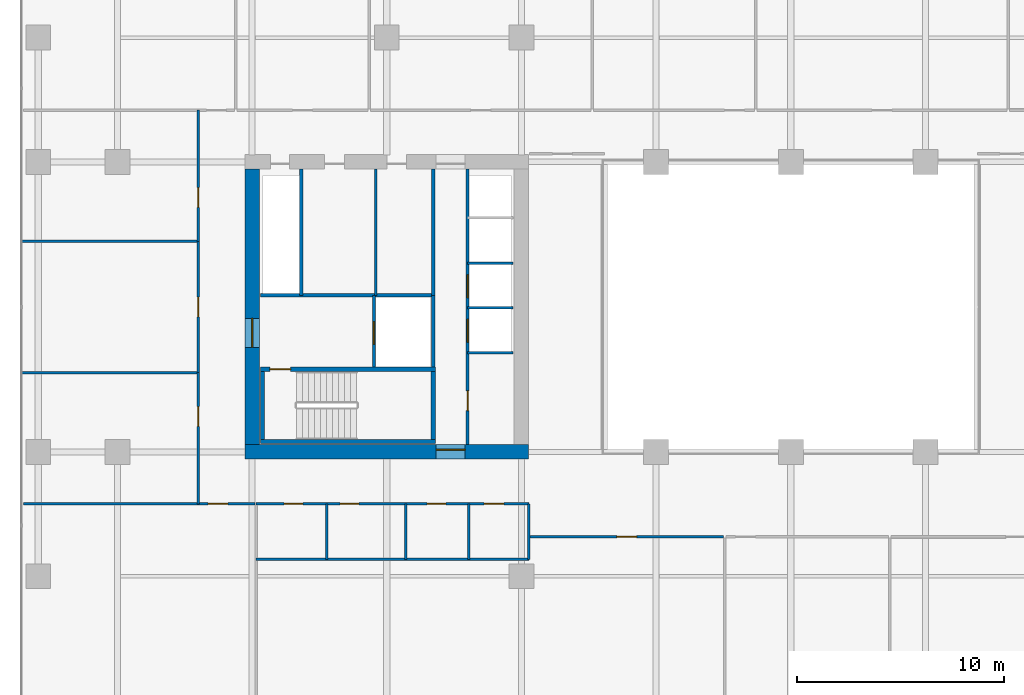
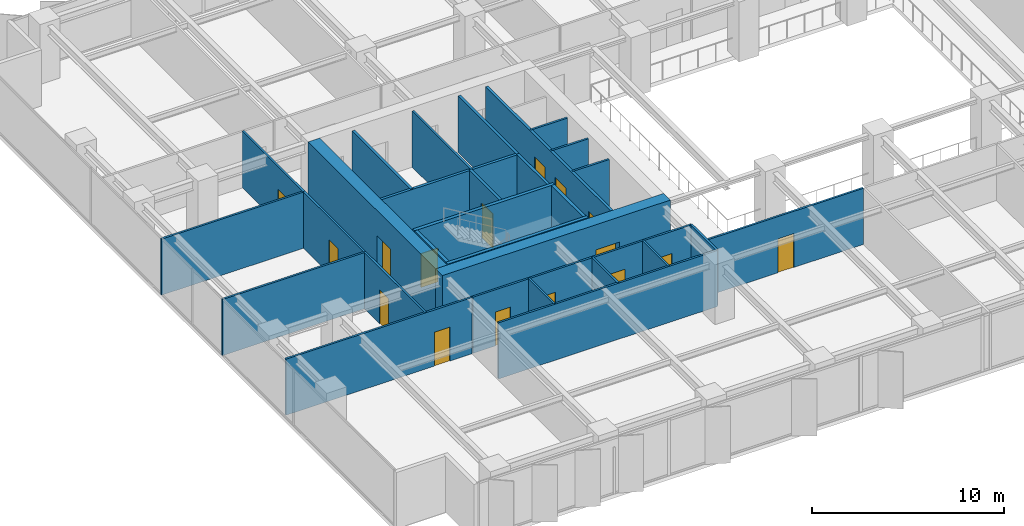
# One storey, part 13 of 20: 29 walls, 16 doors, 16 openings.
"""IFC4 building model written with IfcOpenShell, lengths in metres."""

import ifcopenshell
import ifcopenshell.guid

model = None  # the IFC model being written
_history = None  # IfcOwnerHistory: only IFC2X3 demands one
_inside = {}  # id of a spatial element -> (the spatial element, [elements in it])
_under = {}  # id of a project, library or spatial element -> (it, [spatial elements below it])
_declared = {}  # id of a project -> (the project, [libraries it declares])
_typed = {}  # id of a type object -> (the type object, [elements of that type])
_made_of = {}  # id of a material, layer set ... -> (it, [elements and type objects made of it])


def new_model(schema):
    """Start an empty IFC model of exactly this schema.

    Asked for "IFC4X3", IfcOpenShell would pick the latest addendum, in which some entities
    have other attributes; the version numbers below select the first issue.
    IFC2X3 requires an IfcOwnerHistory on every rooted entity: one is made here for all.
    """
    global model, _history
    if schema == "IFC4X3":
        model = ifcopenshell.file(schema_version=(4, 3, 0, 0))
    else:
        model = ifcopenshell.file(schema=schema)
    _inside.clear()
    _under.clear()
    _declared.clear()
    _typed.clear()
    _made_of.clear()
    _history = None
    if model.schema == "IFC2X3":
        org = make("IfcOrganization", Name="unknown")
        user = make(
            "IfcPersonAndOrganization",
            ThePerson=make("IfcPerson", FamilyName="unknown"),
            TheOrganization=org,
        )
        app = make(
            "IfcApplication",
            ApplicationDeveloper=org,
            Version="unknown",
            ApplicationFullName="unknown",
            ApplicationIdentifier="unknown",
        )
        _history = make(
            "IfcOwnerHistory",
            OwningUser=user,
            OwningApplication=app,
            ChangeAction="ADDED",
            CreationDate=0,
        )
    return model


def make(cls, **values):
    """One entity of the class cls with the attributes given. An attribute that is None is left unset."""
    return model.create_entity(
        cls, **{name: value for name, value in values.items() if value is not None}
    )


def rooted(cls, **values):
    """An entity with a GlobalId (a new one), such as an element, a storey or a relation."""
    return make(cls, GlobalId=ifcopenshell.guid.new(), OwnerHistory=_history, **values)


def si_unit(unit_type, name, prefix=None):
    """IfcSIUnit, for example si_unit("LENGTHUNIT", "METRE", prefix="MILLI")."""
    return make("IfcSIUnit", UnitType=unit_type, Prefix=prefix, Name=name)


def assignment(units):
    """IfcUnitAssignment: the units of a project."""
    return None if units is None else make("IfcUnitAssignment", Units=units)


def point(xyz):
    """IfcCartesianPoint."""
    return None if xyz is None else make("IfcCartesianPoint", Coordinates=xyz)


def direction(xyz):
    """IfcDirection."""
    return None if xyz is None else make("IfcDirection", DirectionRatios=xyz)


def frame(location, z_axis=None, x_axis=None):
    """IfcAxis2Placement3D, a coordinate frame: its origin and axes. An axis left out is left unset."""
    return make(
        "IfcAxis2Placement3D",
        Location=point(location),
        Axis=direction(z_axis),
        RefDirection=direction(x_axis),
    )


def frame_2d(location, x_axis=None):
    """IfcAxis2Placement2D, a coordinate frame in the plane: its origin and x axis."""
    return make(
        "IfcAxis2Placement2D", Location=point(location), RefDirection=direction(x_axis)
    )


def origin():
    """The frame at (0, 0, 0) with its axes left unset."""
    return frame((0.0, 0.0, 0.0))


def place(relative_to, where):
    """IfcLocalPlacement: puts the frame where relative to a parent placement (None: the world)."""
    return make(
        "IfcLocalPlacement", PlacementRelTo=relative_to, RelativePlacement=where
    )


def context(
    kind, dimensions, precision=None, world=None, true_north=None, identifier=None
):
    """IfcGeometricRepresentationContext, for example the 3D "Model" context."""
    return make(
        "IfcGeometricRepresentationContext",
        ContextIdentifier=identifier,
        ContextType=kind,
        CoordinateSpaceDimension=dimensions,
        Precision=precision,
        WorldCoordinateSystem=world,
        TrueNorth=true_north,
    )


def subcontext(parent, identifier, kind, view, scale=None):
    """IfcGeometricRepresentationSubContext, for example "Body" below "Model"."""
    return make(
        "IfcGeometricRepresentationSubContext",
        ContextIdentifier=identifier,
        ContextType=kind,
        ParentContext=parent,
        TargetScale=scale,
        TargetView=view,
    )


def project(units=None, contexts=None):
    """IfcProject with its units and contexts."""
    return rooted(
        "IfcProject",
        Name="project",
        RepresentationContexts=contexts,
        UnitsInContext=assignment(units),
    )


def spatial(cls, under=None, at=None, **own):
    """A site, building, storey or space (cls), placed at a placement, below another one or the project."""
    s = rooted(cls, ObjectPlacement=at, **own)
    if under is not None:
        _under.setdefault(under.id(), (under, []))[1].append(s)
    return s


def profile(cls, at=None, kind="AREA", **sizes):
    """A parametric profile (cls). Its sizes go by their IFC names, for example OverallWidth=200.0."""
    return make(cls, ProfileType=kind, Position=at, **sizes)


def rectangle(**sizes):
    """IfcRectangleProfileDef."""
    return profile("IfcRectangleProfileDef", **sizes)


def extrude(swept, where, along, depth):
    """IfcExtrudedAreaSolid: the profile swept, set in the frame where, extruded along a direction by depth."""
    return make(
        "IfcExtrudedAreaSolid",
        SweptArea=swept,
        Position=where,
        ExtrudedDirection=direction(along),
        Depth=depth,
    )


def shape(context_of_items, identifier, shape_type, items):
    """IfcShapeRepresentation: the items that make up one representation, for example the "Body"."""
    return make(
        "IfcShapeRepresentation",
        ContextOfItems=context_of_items,
        RepresentationIdentifier=identifier,
        RepresentationType=shape_type,
        Items=items,
    )


def material(Name=None, Category=None):
    """IfcMaterial."""
    return make("IfcMaterial", Name=Name, Category=Category)


def layer(
    of_material, thickness, ventilated=None, Name=None, Category=None, Priority=None
):
    """IfcMaterialLayer: one layer of a wall or slab, of a material (None: an air gap)."""
    return make(
        "IfcMaterialLayer",
        Material=of_material,
        LayerThickness=thickness,
        IsVentilated=ventilated,
        Name=Name,
        Category=Category,
        Priority=Priority,
    )


def layer_set(layers, Name=None):
    """IfcMaterialLayerSet."""
    return make("IfcMaterialLayerSet", MaterialLayers=layers, LayerSetName=Name)


def made_of(thing, what):
    """Note that an element or type object is made of a material, layer set ...; save() writes the relation."""
    if what is not None:
        _made_of.setdefault(what.id(), (what, []))[1].append(thing)
    return thing


def type_object(cls, material=None, **own):
    """A type object (cls), such as IfcWallType, which elements share."""
    return made_of(rooted(cls, **own), material)


def element(
    cls,
    number,
    at=None,
    inside=None,
    cuts=None,
    type_object=None,
    material=None,
    context=None,
    identifier="Body",
    shape_type=None,
    held_by="IfcProductDefinitionShape",
    body=None,
    shapes=None,
    **own,
):
    """One element of the class cls, such as IfcWall. Its Tag is "e" and its number.

    at: its placement. inside: the storey or other place that contains it. cuts: it is an
    opening in that element (IfcRelVoidsElement). A single representation is given by context,
    identifier, shape_type and body (its items); several are given by shapes. held_by: the class
    of the entity that holds the representations. save() writes the other relations.
    """
    e = rooted(cls, Tag="e%d" % number, ObjectPlacement=at, **own)
    if body is not None:
        shapes = [shape(context, identifier, shape_type, body)]
    if shapes is not None:
        e.Representation = make(held_by, Representations=shapes)
    if inside is not None:
        _inside.setdefault(inside.id(), (inside, []))[1].append(e)
    if cuts is not None:
        rooted(
            "IfcRelVoidsElement", RelatingBuildingElement=cuts, RelatedOpeningElement=e
        )
    if type_object is not None:
        _typed.setdefault(type_object.id(), (type_object, []))[1].append(e)
    return made_of(e, material)


def fill(opening, filler):
    """IfcRelFillsElement: the door or window that sits in an opening."""
    return rooted(
        "IfcRelFillsElement",
        RelatingOpeningElement=opening,
        RelatedBuildingElement=filler,
    )


def aggregate(whole, parts):
    """IfcRelAggregates: a whole, such as a stair, and the parts it consists of."""
    return rooted("IfcRelAggregates", RelatingObject=whole, RelatedObjects=parts)


def save(model, path):
    """Write the relations noted so far, then the file.

    IfcRelAggregates (storeys below a building ...), IfcRelContainedInSpatialStructure (elements
    in a storey), IfcRelDefinesByType, IfcRelAssociatesMaterial and IfcRelDeclares: one each for
    every whole, place, type object, material and project.
    """
    for whole, parts in _under.values():
        aggregate(whole, parts)
    for where, things in _inside.values():
        rooted(
            "IfcRelContainedInSpatialStructure",
            RelatedElements=things,
            RelatingStructure=where,
        )
    for kind, things in _typed.values():
        rooted("IfcRelDefinesByType", RelatedObjects=things, RelatingType=kind)
    for what, things in _made_of.values():
        rooted("IfcRelAssociatesMaterial", RelatedObjects=things, RelatingMaterial=what)
    for by, libraries in _declared.values():
        rooted("IfcRelDeclares", RelatingContext=by, RelatedDefinitions=libraries)
    model.write(path)


model = new_model("IFC4")

# Units and contexts
model_context = context("Model", 3, precision=1e-05, world=origin(), true_north=direction((0.0, 1.0)))
body_context = subcontext(model_context, "Body", "Model", "MODEL_VIEW")
ifc_project = project(units=[si_unit("LENGTHUNIT", "METRE"), si_unit("AREAUNIT", "SQUARE_METRE"), si_unit("VOLUMEUNIT", "CUBIC_METRE"), si_unit("PLANEANGLEUNIT", "RADIAN"), si_unit("MASSUNIT", "GRAM", prefix="KILO")], contexts=[model_context])

# Site, building, storey
site_placement = place(None, origin())
site = spatial("IfcSite", under=ifc_project, at=site_placement, CompositionType="ELEMENT")
building_placement = place(site_placement, origin())
building = spatial("IfcBuilding", under=site, at=building_placement, Name="Putna Gate Headquarters", CompositionType="ELEMENT")
storey_placement = place(building_placement, frame((0.0, 0.0, 116.39990234375)))
storey = spatial("IfcBuildingStorey", under=building, at=storey_placement, Name="L28", CompositionType="ELEMENT", Elevation=116.39990234375)

# Wall, opening, door
ifc_material_1 = material(Name="Concrete C60/75", Category="concrete")
ifc_layer_1 = layer(ifc_material_1, 0.699951171875)
ifc_layer_set_1 = layer_set([ifc_layer_1], Name="Concrete C60/75")
wall_type_1 = type_object("IfcWallType", Name="WALL-CORE-700", PredefinedType="SHEAR", material=ifc_layer_set_1)
wall_1_placement = place(storey_placement, frame((12.64990234375, 19.0, 0.0), z_axis=(0.0, 0.0, 1.0), x_axis=(1.0, 0.0, 0.0)))
wall_1 = element("IfcWall", 1, at=wall_1_placement, inside=storey, type_object=wall_type_1, Name="L28 WC Split Core Shear Wall S", PredefinedType="SHEAR", context=body_context, shape_type="SweptSolid", body=[
    extrude(rectangle(XDim=13.7001953125, YDim=0.699951171875, at=frame_2d((6.85009765625, 0.0))), origin(), (0.0, 0.0, 1.0), 3.800048828125),
])
opening_1_placement = place(wall_1_placement, frame((9.22998046875, 0.0, 0.0)))
opening_1 = element("IfcOpeningElement", 2, at=opening_1_placement, cuts=wall_1, Name="Opening FDD-140", PredefinedType="OPENING", context=body_context, shape_type="SweptSolid", body=[
    extrude(rectangle(XDim=1.39990234375, YDim=2.199951171875, at=frame_2d((0.699951171875, 1.10009765625))), frame((0.0, 0.35986328125, 0.0), z_axis=(0.0, -1.0, 0.0), x_axis=(1.0, 0.0, 0.0)), (0.0, 0.0, 1.0), 0.719970703125),
])
ifc_material_2 = material(Name="Double steel fire door", Category="steel")
door_type_1 = type_object("IfcDoorType", Name="DOOR-FIRE-DBL-1400", OperationType="DOUBLE_DOOR_SINGLE_SWING", PredefinedType="DOOR", material=ifc_material_2)
door_1_placement = place(opening_1_placement, origin())
door_1 = element("IfcDoor", 3, at=door_1_placement, inside=storey, type_object=door_type_1, Name="L28 West Lift Lobby South Door", OperationType="DOUBLE_DOOR_SINGLE_SWING", OverallHeight=2.199951171875, OverallWidth=1.39990234375, PredefinedType="DOOR", context=body_context, shape_type="SweptSolid", body=[
    extrude(rectangle(XDim=1.39990234375, YDim=2.199951171875, at=frame_2d((0.699951171875, 1.10009765625))), frame((0.0, 0.125, 0.0), z_axis=(0.0, -1.0, 0.0), x_axis=(1.0, 0.0, 0.0)), (0.0, 0.0, 1.0), 0.050048828125),
])
fill(opening_1, door_1)

wall_2_placement = place(storey_placement, frame((13.0, 19.35009765625, 0.0), z_axis=(0.0, 0.0, 1.0), x_axis=(0.0, 1.0, 0.0)))
wall_2 = element("IfcWall", 4, at=wall_2_placement, inside=storey, type_object=wall_type_1, Name="L28 WC Split Core Shear Wall W", PredefinedType="SHEAR", context=body_context, shape_type="SweptSolid", body=[
    extrude(rectangle(XDim=13.2998046875, YDim=0.699951171875, at=frame_2d((6.64990234375, 0.0))), origin(), (0.0, 0.0, 1.0), 3.800048828125),
])
opening_2_placement = place(wall_2_placement, frame((4.699951171875, 0.0, 0.0)))
opening_2 = element("IfcOpeningElement", 5, at=opening_2_placement, cuts=wall_2, Name="Opening FDD-140", PredefinedType="OPENING", context=body_context, shape_type="SweptSolid", body=[
    extrude(rectangle(XDim=1.39990234375, YDim=2.199951171875, at=frame_2d((0.699951171875, 1.10009765625))), frame((0.0, 0.35986328125, 0.0), z_axis=(0.0, -1.0, 0.0), x_axis=(1.0, 0.0, 0.0)), (0.0, 0.0, 1.0), 0.719970703125),
])
door_2_placement = place(opening_2_placement, origin())
door_2 = element("IfcDoor", 6, at=door_2_placement, inside=storey, type_object=door_type_1, Name="L28 West Firefighting Lobby Door", OperationType="DOUBLE_DOOR_SINGLE_SWING", OverallHeight=2.199951171875, OverallWidth=1.39990234375, PredefinedType="DOOR", context=body_context, shape_type="SweptSolid", body=[
    extrude(rectangle(XDim=1.39990234375, YDim=2.199951171875, at=frame_2d((0.699951171875, 1.10009765625))), frame((0.0, 0.02490234375, 0.0), z_axis=(0.0, -1.0, 0.0), x_axis=(1.0, 0.0, 0.0)), (0.0, 0.0, 1.0), 0.050048828125),
])
fill(opening_2, door_2)

# Walls
ifc_material_3 = material(Name="Acoustic gypsum board on metal stud")
ifc_layer_2 = layer(ifc_material_3, 0.1201171875)
ifc_layer_set_2 = layer_set([ifc_layer_2], Name="Acoustic gypsum board on metal stud")
wall_type_2 = type_object("IfcWallType", Name="WALL-PART-120", PredefinedType="PARTITIONING", material=ifc_layer_set_2)
for number, where, z_axis, x_axis, name in (
    (7, (1.820068359375, 22.833251953125, 0.0), (0.0, 0.0, 1.0), (1.0, 0.0, 0.0), "L28 Interior Wall PART-L28-WW-DIV-1"),
    (8, (1.820068359375, 29.166748046875, 0.0), (0.0, 0.0, 1.0), (1.0, 0.0, 0.0), "L28 Interior Wall PART-L28-WW-DIV-2"),
):
    element("IfcWall", number, at=place(storey_placement, frame(where, z_axis=z_axis, x_axis=x_axis)), inside=storey, type_object=wall_type_2, Name=name, PredefinedType="PARTITIONING", context=body_context, shape_type="SweptSolid", body=[
        extrude(rectangle(XDim=8.579833984375, YDim=0.1201171875, at=frame_2d((4.2900390625, 0.0))), origin(), (0.0, 0.0, 1.0), 3.565185546875),
    ])
ifc_material_4 = material(Name="Fire-rated shaftwall gypsum board on metal stud")
ifc_layer_3 = layer(ifc_material_4, 0.1201171875)
ifc_layer_set_3 = layer_set([ifc_layer_3], Name="Fire-rated shaftwall gypsum board on metal stud")
wall_type_3 = type_object("IfcWallType", Name="WALL-PART-120-EI120", PredefinedType="PARTITIONING", material=ifc_layer_set_3)
for number, where, z_axis, x_axis, name in (
    (9, (23.39990234375, 25.949951171875, 0.0), (0.0, 0.0, 1.0), (1.0, 0.0, 0.0), "L28 Interior Wall CWINT-L28-WC-LF05-DIV"),
    (10, (23.39990234375, 28.1201171875, 0.0), (0.0, 0.0, 1.0), (1.0, 0.0, 0.0), "L28 Interior Wall CWINT-L28-WC-LF06-DIV"),
):
    element("IfcWall", number, at=place(storey_placement, frame(where, z_axis=z_axis, x_axis=x_axis)), inside=storey, type_object=wall_type_3, Name=name, PredefinedType="PARTITIONING", context=body_context, shape_type="SweptSolid", body=[
        extrude(rectangle(XDim=2.2001953125, YDim=0.1201171875, at=frame_2d((1.10009765625, 0.0))), origin(), (0.0, 0.0, 1.0), 3.565185546875),
    ])
ifc_material_5 = material(Name="Fire-rated gypsum board on metal stud")
ifc_layer_4 = layer(ifc_material_5, 0.1201171875)
ifc_layer_set_4 = layer_set([ifc_layer_4], Name="Fire-rated gypsum board on metal stud")
wall_type_4 = type_object("IfcWallType", Name="WALL-PART-120-RATED", PredefinedType="PARTITIONING", material=ifc_layer_set_4)
wall_3_placement = place(storey_placement, frame((18.969970703125, 26.56005859375, 0.0), z_axis=(0.0, 0.0, 1.0), x_axis=(0.0, 1.0, 0.0)))
element("IfcWall", 11, at=wall_3_placement, inside=storey, type_object=wall_type_4, Name="L28 Interior Wall CWINT-L28-WC-K0-DIV", PredefinedType="PARTITIONING", context=body_context, shape_type="SweptSolid", body=[
    extrude(rectangle(XDim=6.08984375, YDim=0.1201171875, at=frame_2d((3.044921875, 0.0))), origin(), (0.0, 0.0, 1.0), 3.565185546875),
])
wall_4_placement = place(storey_placement, frame((23.39990234375, 23.780029296875, 0.0), z_axis=(0.0, 0.0, 1.0), x_axis=(1.0, 0.0, 0.0)))
element("IfcWall", 12, at=wall_4_placement, inside=storey, type_object=wall_type_4, Name="L28 Interior Wall CWINT-L28-WC-LF02-DIV", PredefinedType="PARTITIONING", context=body_context, shape_type="SweptSolid", body=[
    extrude(rectangle(XDim=2.2001953125, YDim=0.1201171875, at=frame_2d((1.10009765625, 0.0))), origin(), (0.0, 0.0, 1.0), 3.565185546875),
])

# Wall, openings, doors
wall_5_placement = place(storey_placement, frame((13.199951171875, 16.5, 0.0), z_axis=(0.0, 0.0, 1.0), x_axis=(1.0, 0.0, 0.0)))
wall_5 = element("IfcWall", 13, at=wall_5_placement, inside=storey, type_object=wall_type_4, Name="L28 Interior Wall PART-L28-SAN-CW", PredefinedType="PARTITIONING", context=body_context, shape_type="SweptSolid", body=[
    extrude(rectangle(XDim=13.16015625, YDim=0.1201171875, at=frame_2d((6.580078125, 0.0))), origin(), (0.0, 0.0, 1.0), 3.565185546875),
])
opening_3_placement = place(wall_5_placement, frame((1.35009765625, 0.0, 0.0)))
opening_3 = element("IfcOpeningElement", 14, at=opening_3_placement, cuts=wall_5, Name="Opening FD-90", PredefinedType="OPENING", context=body_context, shape_type="SweptSolid", body=[
    extrude(rectangle(XDim=0.89990234375, YDim=2.14990234375, at=frame_2d((0.449951171875, 1.074951171875))), frame((0.0, 0.070068359375, 0.0), z_axis=(0.0, -1.0, 0.0), x_axis=(1.0, 0.0, 0.0)), (0.0, 0.0, 1.0), 0.14013671875),
])
opening_4_placement = place(wall_5_placement, frame((4.050048828125, 0.0, 0.0)))
opening_4 = element("IfcOpeningElement", 15, at=opening_4_placement, cuts=wall_5, Name="Opening FD-90", PredefinedType="OPENING", context=body_context, shape_type="SweptSolid", body=[
    extrude(rectangle(XDim=0.89990234375, YDim=2.14990234375, at=frame_2d((0.449951171875, 1.074951171875))), frame((0.0, 0.070068359375, 0.0), z_axis=(0.0, -1.0, 0.0), x_axis=(1.0, 0.0, 0.0)), (0.0, 0.0, 1.0), 0.14013671875),
])
opening_5_placement = place(wall_5_placement, frame((8.25, 0.0, 0.0)))
opening_5 = element("IfcOpeningElement", 16, at=opening_5_placement, cuts=wall_5, Name="Opening FD-90", PredefinedType="OPENING", context=body_context, shape_type="SweptSolid", body=[
    extrude(rectangle(XDim=0.89990234375, YDim=2.14990234375, at=frame_2d((0.449951171875, 1.074951171875))), frame((0.0, 0.070068359375, 0.0), z_axis=(0.0, -1.0, 0.0), x_axis=(1.0, 0.0, 0.0)), (0.0, 0.0, 1.0), 0.14013671875),
])
opening_6_placement = place(wall_5_placement, frame((11.0, 0.0, 0.0)))
opening_6 = element("IfcOpeningElement", 17, at=opening_6_placement, cuts=wall_5, Name="Opening FD-95", PredefinedType="OPENING", context=body_context, shape_type="SweptSolid", body=[
    extrude(rectangle(XDim=0.949951171875, YDim=2.14990234375, at=frame_2d((0.47509765625, 1.074951171875))), frame((0.0, 0.070068359375, 0.0), z_axis=(0.0, -1.0, 0.0), x_axis=(1.0, 0.0, 0.0)), (0.0, 0.0, 1.0), 0.14013671875),
])
ifc_material_6 = material(Name="Acoustic washroom fire door")
door_type_2 = type_object("IfcDoorType", Name="DOOR-FIRE-900", OperationType="NOTDEFINED", PredefinedType="DOOR", material=ifc_material_6)
door_3_placement = place(opening_3_placement, origin())
door_3 = element("IfcDoor", 18, at=door_3_placement, inside=storey, type_object=door_type_2, Name="L28 Washroom Male Door", OperationType="SINGLE_SWING_LEFT", OverallHeight=2.14990234375, OverallWidth=0.89990234375, PredefinedType="DOOR", context=body_context, shape_type="SweptSolid", body=[
    extrude(rectangle(XDim=0.89990234375, YDim=2.14990234375, at=frame_2d((0.449951171875, 1.074951171875))), frame((0.0, 0.02490234375, 0.0), z_axis=(0.0, -1.0, 0.0), x_axis=(1.0, 0.0, 0.0)), (0.0, 0.0, 1.0), 0.050048828125),
])
fill(opening_3, door_3)
door_4_placement = place(opening_4_placement, origin())
door_4 = element("IfcDoor", 19, at=door_4_placement, inside=storey, type_object=door_type_2, Name="L28 Washroom Female Door", OperationType="SINGLE_SWING_RIGHT", OverallHeight=2.14990234375, OverallWidth=0.89990234375, PredefinedType="DOOR", context=body_context, shape_type="SweptSolid", body=[
    extrude(rectangle(XDim=0.89990234375, YDim=2.14990234375, at=frame_2d((0.449951171875, 1.074951171875))), frame((0.0, 0.02490234375, 0.0), z_axis=(0.0, -1.0, 0.0), x_axis=(1.0, 0.0, 0.0)), (0.0, 0.0, 1.0), 0.050048828125),
])
fill(opening_4, door_4)
door_5_placement = place(opening_5_placement, origin())
door_5 = element("IfcDoor", 20, at=door_5_placement, inside=storey, type_object=door_type_2, Name="L28 Accessible WC Door", OperationType="SINGLE_SWING_LEFT", OverallHeight=2.14990234375, OverallWidth=0.89990234375, PredefinedType="DOOR", context=body_context, shape_type="SweptSolid", body=[
    extrude(rectangle(XDim=0.89990234375, YDim=2.14990234375, at=frame_2d((0.449951171875, 1.074951171875))), frame((0.0, 0.02490234375, 0.0), z_axis=(0.0, -1.0, 0.0), x_axis=(1.0, 0.0, 0.0)), (0.0, 0.0, 1.0), 0.050048828125),
])
fill(opening_5, door_5)
ifc_material_7 = material(Name="Acoustic timber fire door", Category="wood")
door_type_3 = type_object("IfcDoorType", Name="DOOR-FIRE-950", OperationType="NOTDEFINED", PredefinedType="DOOR", material=ifc_material_7)
door_6_placement = place(opening_6_placement, origin())
door_6 = element("IfcDoor", 21, at=door_6_placement, inside=storey, type_object=door_type_3, Name="L28 Staff Pantry and Tea Point Door", OperationType="SINGLE_SWING_RIGHT", OverallHeight=2.14990234375, OverallWidth=0.949951171875, PredefinedType="DOOR", context=body_context, shape_type="SweptSolid", body=[
    extrude(rectangle(XDim=0.949951171875, YDim=2.14990234375, at=frame_2d((0.47509765625, 1.074951171875))), frame((0.0, 0.02490234375, 0.0), z_axis=(0.0, -1.0, 0.0), x_axis=(1.0, 0.0, 0.0)), (0.0, 0.0, 1.0), 0.050048828125),
])
fill(opening_6, door_6)

# Walls
wall_6_placement = place(storey_placement, frame((13.199951171875, 13.820068359375, 0.0), z_axis=(0.0, 0.0, 1.0), x_axis=(1.0, 0.0, 0.0)))
element("IfcWall", 22, at=wall_6_placement, inside=storey, type_object=wall_type_4, Name="L28 Interior Wall PART-L28-SAN-BACK", PredefinedType="PARTITIONING", context=body_context, shape_type="SweptSolid", body=[
    extrude(rectangle(XDim=13.16015625, YDim=0.1201171875, at=frame_2d((6.580078125, 0.0))), origin(), (0.0, 0.0, 1.0), 3.565185546875),
])
for number, where, z_axis, x_axis, name in (
    (23, (16.60009765625, 13.820068359375, 0.0), (0.0, 0.0, 1.0), (0.0, 1.0, 0.0), "L28 Interior Wall PART-L28-SAN-DIV-1"),
    (24, (20.419921875, 13.820068359375, 0.0), (0.0, 0.0, 1.0), (0.0, 1.0, 0.0), "L28 Interior Wall PART-L28-SAN-DIV-2"),
    (25, (23.4599609375, 13.820068359375, 0.0), (0.0, 0.0, 1.0), (0.0, 1.0, 0.0), "L28 Interior Wall PART-L28-SAN-DIV-3"),
    (26, (26.360107421875, 13.820068359375, 0.0), (0.0, 0.0, 1.0), (0.0, 1.0, 0.0), "L28 Interior Wall PART-L28-SAN-DIV-4"),
):
    element("IfcWall", number, at=place(storey_placement, frame(where, z_axis=z_axis, x_axis=x_axis)), inside=storey, type_object=wall_type_4, Name=name, PredefinedType="PARTITIONING", context=body_context, shape_type="SweptSolid", body=[
        extrude(rectangle(XDim=2.679931640625, YDim=0.1201171875, at=frame_2d((1.33984375, 0.0))), origin(), (0.0, 0.0, 1.0), 3.565185546875),
    ])

# Wall, opening, door
wall_7_placement = place(storey_placement, frame((1.97998046875, 16.5, 0.0), z_axis=(0.0, 0.0, 1.0), x_axis=(1.0, 0.0, 0.0)))
wall_7 = element("IfcWall", 27, at=wall_7_placement, inside=storey, type_object=wall_type_4, Name="L28 Interior Wall PART-L28-SB-CW-01", PredefinedType="PARTITIONING", context=body_context, shape_type="SweptSolid", body=[
    extrude(rectangle(XDim=11.159912109375, YDim=0.1201171875, at=frame_2d((5.580078125, 0.0))), origin(), (0.0, 0.0, 1.0), 3.565185546875),
])
opening_7_placement = place(wall_7_placement, frame((8.89990234375, 0.0, 0.0)))
opening_7 = element("IfcOpeningElement", 28, at=opening_7_placement, cuts=wall_7, Name="Opening FD-95", PredefinedType="OPENING", context=body_context, shape_type="SweptSolid", body=[
    extrude(rectangle(XDim=0.949951171875, YDim=2.14990234375, at=frame_2d((0.47509765625, 1.074951171875))), frame((0.0, 0.070068359375, 0.0), z_axis=(0.0, -1.0, 0.0), x_axis=(1.0, 0.0, 0.0)), (0.0, 0.0, 1.0), 0.14013671875),
])
door_7_placement = place(opening_7_placement, origin())
door_7 = element("IfcDoor", 29, at=door_7_placement, inside=storey, type_object=door_type_3, Name="L28 Cellular Office 1 Door", OperationType="SINGLE_SWING_LEFT", OverallHeight=2.14990234375, OverallWidth=0.949951171875, PredefinedType="DOOR", context=body_context, shape_type="SweptSolid", body=[
    extrude(rectangle(XDim=0.949951171875, YDim=2.14990234375, at=frame_2d((0.47509765625, 1.074951171875))), frame((0.0, 0.02490234375, 0.0), z_axis=(0.0, -1.0, 0.0), x_axis=(1.0, 0.0, 0.0)), (0.0, 0.0, 1.0), 0.050048828125),
])
fill(opening_7, door_7)

wall_8_placement = place(storey_placement, frame((26.419921875, 14.89990234375, 0.0), z_axis=(0.0, 0.0, 1.0), x_axis=(1.0, 0.0, 0.0)))
wall_8 = element("IfcWall", 30, at=wall_8_placement, inside=storey, type_object=wall_type_4, Name="L28 Interior Wall PART-L28-SB-CW-02", PredefinedType="PARTITIONING", context=body_context, shape_type="SweptSolid", body=[
    extrude(rectangle(XDim=9.320068359375, YDim=0.1201171875, at=frame_2d((4.66015625, 0.0))), origin(), (0.0, 0.0, 1.0), 3.565185546875),
])
opening_8_placement = place(wall_8_placement, frame((4.18505859375, 0.0, 0.0)))
opening_8 = element("IfcOpeningElement", 31, at=opening_8_placement, cuts=wall_8, Name="Opening FD-95", PredefinedType="OPENING", context=body_context, shape_type="SweptSolid", body=[
    extrude(rectangle(XDim=0.949951171875, YDim=2.14990234375, at=frame_2d((0.47509765625, 1.074951171875))), frame((0.0, 0.070068359375, 0.0), z_axis=(0.0, -1.0, 0.0), x_axis=(1.0, 0.0, 0.0)), (0.0, 0.0, 1.0), 0.14013671875),
])
door_8_placement = place(opening_8_placement, origin())
door_8 = element("IfcDoor", 32, at=door_8_placement, inside=storey, type_object=door_type_3, Name="L28 Primary Open Office Workplace Door", OperationType="SINGLE_SWING_RIGHT", OverallHeight=2.14990234375, OverallWidth=0.949951171875, PredefinedType="DOOR", context=body_context, shape_type="SweptSolid", body=[
    extrude(rectangle(XDim=0.949951171875, YDim=2.14990234375, at=frame_2d((0.47509765625, 1.074951171875))), frame((0.0, 0.02490234375, 0.0), z_axis=(0.0, -1.0, 0.0), x_axis=(1.0, 0.0, 0.0)), (0.0, 0.0, 1.0), 0.050048828125),
])
fill(opening_8, door_8)

wall_9_placement = place(storey_placement, frame((10.39990234375, 16.5, 0.0), z_axis=(0.0, 0.0, 1.0), x_axis=(0.0, 1.0, 0.0)))
wall_9 = element("IfcWall", 33, at=wall_9_placement, inside=storey, type_object=wall_type_4, Name="L28 Interior Wall PART-L28-WW-CW-1", PredefinedType="PARTITIONING", context=body_context, shape_type="SweptSolid", body=[
    extrude(rectangle(XDim=6.333251953125, YDim=0.1201171875, at=frame_2d((3.16650390625, 0.0))), origin(), (0.0, 0.0, 1.0), 3.565185546875),
])
opening_9_placement = place(wall_9_placement, frame((3.74169921875, 0.0, 0.0)))
opening_9 = element("IfcOpeningElement", 34, at=opening_9_placement, cuts=wall_9, Name="Opening FD-95", PredefinedType="OPENING", context=body_context, shape_type="SweptSolid", body=[
    extrude(rectangle(XDim=0.949951171875, YDim=2.14990234375, at=frame_2d((0.47509765625, 1.074951171875))), frame((0.0, 0.070068359375, 0.0), z_axis=(0.0, -1.0, 0.0), x_axis=(1.0, 0.0, 0.0)), (0.0, 0.0, 1.0), 0.14013671875),
])
door_9_placement = place(opening_9_placement, origin())
door_9 = element("IfcDoor", 35, at=door_9_placement, inside=storey, type_object=door_type_3, Name="L28 West Project Meeting Room 1 Door", OperationType="SINGLE_SWING_LEFT", OverallHeight=2.14990234375, OverallWidth=0.949951171875, PredefinedType="DOOR", context=body_context, shape_type="SweptSolid", body=[
    extrude(rectangle(XDim=0.949951171875, YDim=2.14990234375, at=frame_2d((0.47509765625, 1.074951171875))), frame((0.0, 0.02490234375, 0.0), z_axis=(0.0, -1.0, 0.0), x_axis=(1.0, 0.0, 0.0)), (0.0, 0.0, 1.0), 0.050048828125),
])
fill(opening_9, door_9)

wall_10_placement = place(storey_placement, frame((10.39990234375, 22.833251953125, 0.0), z_axis=(0.0, 0.0, 1.0), x_axis=(0.0, 1.0, 0.0)))
wall_10 = element("IfcWall", 36, at=wall_10_placement, inside=storey, type_object=wall_type_4, Name="L28 Interior Wall PART-L28-WW-CW-2", PredefinedType="PARTITIONING", context=body_context, shape_type="SweptSolid", body=[
    extrude(rectangle(XDim=6.33349609375, YDim=0.1201171875, at=frame_2d((3.166748046875, 0.0))), origin(), (0.0, 0.0, 1.0), 3.565185546875),
])
opening_10_placement = place(wall_10_placement, frame((2.691650390625, 0.0, 0.0)))
opening_10 = element("IfcOpeningElement", 37, at=opening_10_placement, cuts=wall_10, Name="Opening FD-95", PredefinedType="OPENING", context=body_context, shape_type="SweptSolid", body=[
    extrude(rectangle(XDim=0.949951171875, YDim=2.14990234375, at=frame_2d((0.47509765625, 1.074951171875))), frame((0.0, 0.070068359375, 0.0), z_axis=(0.0, -1.0, 0.0), x_axis=(1.0, 0.0, 0.0)), (0.0, 0.0, 1.0), 0.14013671875),
])
door_10_placement = place(opening_10_placement, origin())
door_10 = element("IfcDoor", 38, at=door_10_placement, inside=storey, type_object=door_type_3, Name="L28 West Project Meeting Room 2 Door", OperationType="SINGLE_SWING_RIGHT", OverallHeight=2.14990234375, OverallWidth=0.949951171875, PredefinedType="DOOR", context=body_context, shape_type="SweptSolid", body=[
    extrude(rectangle(XDim=0.949951171875, YDim=2.14990234375, at=frame_2d((0.47509765625, 1.074951171875))), frame((0.0, 0.02490234375, 0.0), z_axis=(0.0, -1.0, 0.0), x_axis=(1.0, 0.0, 0.0)), (0.0, 0.0, 1.0), 0.050048828125),
])
fill(opening_10, door_10)

wall_11_placement = place(storey_placement, frame((10.39990234375, 29.166748046875, 0.0), z_axis=(0.0, 0.0, 1.0), x_axis=(0.0, 1.0, 0.0)))
wall_11 = element("IfcWall", 39, at=wall_11_placement, inside=storey, type_object=wall_type_4, Name="L28 Interior Wall PART-L28-WW-CW-3", PredefinedType="PARTITIONING", context=body_context, shape_type="SweptSolid", body=[
    extrude(rectangle(XDim=6.333251953125, YDim=0.1201171875, at=frame_2d((3.16650390625, 0.0))), origin(), (0.0, 0.0, 1.0), 3.565185546875),
])
opening_11_placement = place(wall_11_placement, frame((1.6416015625, 0.0, 0.0)))
opening_11 = element("IfcOpeningElement", 40, at=opening_11_placement, cuts=wall_11, Name="Opening FD-95", PredefinedType="OPENING", context=body_context, shape_type="SweptSolid", body=[
    extrude(rectangle(XDim=0.949951171875, YDim=2.14990234375, at=frame_2d((0.47509765625, 1.074951171875))), frame((0.0, 0.070068359375, 0.0), z_axis=(0.0, -1.0, 0.0), x_axis=(1.0, 0.0, 0.0)), (0.0, 0.0, 1.0), 0.14013671875),
])
door_11_placement = place(opening_11_placement, origin())
door_11 = element("IfcDoor", 41, at=door_11_placement, inside=storey, type_object=door_type_3, Name="L28 West Project Meeting Room 3 Door", OperationType="SINGLE_SWING_LEFT", OverallHeight=2.14990234375, OverallWidth=0.949951171875, PredefinedType="DOOR", context=body_context, shape_type="SweptSolid", body=[
    extrude(rectangle(XDim=0.949951171875, YDim=2.14990234375, at=frame_2d((0.47509765625, 1.074951171875))), frame((0.0, 0.02490234375, 0.0), z_axis=(0.0, -1.0, 0.0), x_axis=(1.0, 0.0, 0.0)), (0.0, 0.0, 1.0), 0.050048828125),
])
fill(opening_11, door_11)

# Wall
ifc_material_8 = material(Name="Concrete C40/50", Category="concrete")
ifc_layer_5 = layer(ifc_material_8, 0.159912109375)
ifc_layer_set_5 = layer_set([ifc_layer_5], Name="Concrete C40/50")
wall_type_5 = type_object("IfcWallType", Name="WALL-SHAFT-160", PredefinedType="STANDARD", material=ifc_layer_set_5)
wall_12_placement = place(storey_placement, frame((21.739990234375, 23.090087890625, 0.0), z_axis=(0.0, 0.0, 1.0), x_axis=(0.0, 1.0, 0.0)))
element("IfcWall", 42, at=wall_12_placement, inside=storey, type_object=wall_type_5, Name="L28 Interior Wall CWINT-L28-WC-FFL-E", PredefinedType="STANDARD", context=body_context, shape_type="SweptSolid", body=[
    extrude(rectangle(XDim=3.469970703125, YDim=0.159912109375, at=frame_2d((1.73486328125, 0.0))), origin(), (0.0, 0.0, 1.0), 3.565185546875),
])

# Wall, opening, door
wall_13_placement = place(storey_placement, frame((18.8798828125, 23.090087890625, 0.0), z_axis=(0.0, 0.0, 1.0), x_axis=(0.0, 1.0, 0.0)))
wall_13 = element("IfcWall", 43, at=wall_13_placement, inside=storey, type_object=wall_type_5, Name="L28 Interior Wall CWINT-L28-WC-LF13-W", PredefinedType="STANDARD", context=body_context, shape_type="SweptSolid", body=[
    extrude(rectangle(XDim=3.469970703125, YDim=0.159912109375, at=frame_2d((1.73486328125, 0.0))), origin(), (0.0, 0.0, 1.0), 3.565185546875),
])
opening_12_placement = place(wall_13_placement, frame((1.10009765625, 0.0, 0.0)))
opening_12 = element("IfcOpeningElement", 44, at=opening_12_placement, cuts=wall_13, Name="Opening LD-1", PredefinedType="OPENING", context=body_context, shape_type="SweptSolid", body=[
    extrude(rectangle(XDim=1.10009765625, YDim=2.199951171875, at=frame_2d((0.550048828125, 1.10009765625))), frame((0.0, 0.08984375, 0.0), z_axis=(0.0, -1.0, 0.0), x_axis=(1.0, 0.0, 0.0)), (0.0, 0.0, 1.0), 0.179931640625),
])
ifc_material_9 = material(Name="Brushed bronze stainless lift landing door")
door_type_4 = type_object("IfcDoorType", Name="DOOR-LIFT-1100", OperationType="DOUBLE_DOOR_SLIDING", PredefinedType="DOOR", material=ifc_material_9)
door_12_placement = place(opening_12_placement, origin())
door_12 = element("IfcDoor", 45, at=door_12_placement, inside=storey, type_object=door_type_4, Name="L28 Lift Landing Door LD-13", OperationType="DOUBLE_DOOR_SLIDING", OverallHeight=2.199951171875, OverallWidth=1.10009765625, PredefinedType="DOOR", context=body_context, shape_type="SweptSolid", body=[
    extrude(rectangle(XDim=1.10009765625, YDim=2.199951171875, at=frame_2d((0.550048828125, 1.10009765625))), frame((0.0, 0.02490234375, 0.0), z_axis=(0.0, -1.0, 0.0), x_axis=(1.0, 0.0, 0.0)), (0.0, 0.0, 1.0), 0.050048828125),
])
fill(opening_12, door_12)

# Walls
wall_14_placement = place(storey_placement, frame((13.39990234375, 26.56005859375, 0.0), z_axis=(0.0, 0.0, 1.0), x_axis=(1.0, 0.0, 0.0)))
element("IfcWall", 46, at=wall_14_placement, inside=storey, type_object=wall_type_5, Name="L28 Interior Wall CWINT-L28-WC-FFL-N", PredefinedType="STANDARD", context=body_context, shape_type="SweptSolid", body=[
    extrude(rectangle(XDim=8.340087890625, YDim=0.159912109375, at=frame_2d((4.169921875, 0.0))), origin(), (0.0, 0.0, 1.0), 3.565185546875),
])
for number, where, z_axis, x_axis, name in (
    (47, (15.3798828125, 26.56005859375, 0.0), (0.0, 0.0, 1.0), (0.0, 1.0, 0.0), "L28 Interior Wall CWINT-L28-WC-RISER-E"),
    (48, (21.739990234375, 26.56005859375, 0.0), (0.0, 0.0, 1.0), (0.0, 1.0, 0.0), "L28 Interior Wall CWINT-L28-WC-LOB-W"),
):
    element("IfcWall", number, at=place(storey_placement, frame(where, z_axis=z_axis, x_axis=x_axis)), inside=storey, type_object=wall_type_5, Name=name, PredefinedType="STANDARD", context=body_context, shape_type="SweptSolid", body=[
        extrude(rectangle(XDim=6.08984375, YDim=0.159912109375, at=frame_2d((3.044921875, 0.0))), origin(), (0.0, 0.0, 1.0), 3.565185546875),
    ])

# Wall, openings, doors
wall_15_placement = place(storey_placement, frame((23.39990234375, 19.35009765625, 0.0), z_axis=(0.0, 0.0, 1.0), x_axis=(0.0, 1.0, 0.0)))
wall_15 = element("IfcWall", 49, at=wall_15_placement, inside=storey, type_object=wall_type_5, Name="L28 Interior Wall CWINT-L28-WC-PL-WALL", PredefinedType="STANDARD", context=body_context, shape_type="SweptSolid", body=[
    extrude(rectangle(XDim=13.2998046875, YDim=0.159912109375, at=frame_2d((6.64990234375, 0.0))), origin(), (0.0, 0.0, 1.0), 3.565185546875),
])
opening_13_placement = place(wall_15_placement, frame((1.64990234375, 0.0, 0.0)))
opening_13 = element("IfcOpeningElement", 50, at=opening_13_placement, cuts=wall_15, Name="Opening IDS-95", PredefinedType="OPENING", context=body_context, shape_type="SweptSolid", body=[
    extrude(rectangle(XDim=0.949951171875, YDim=2.14990234375, at=frame_2d((0.47509765625, 1.074951171875))), frame((0.0, 0.08984375, 0.0), z_axis=(0.0, -1.0, 0.0), x_axis=(1.0, 0.0, 0.0)), (0.0, 0.0, 1.0), 0.179931640625),
])
opening_14_placement = place(wall_15_placement, frame((4.949951171875, 0.0, 0.0)))
opening_14 = element("IfcOpeningElement", 51, at=opening_14_placement, cuts=wall_15, Name="Opening LD-1", PredefinedType="OPENING", context=body_context, shape_type="SweptSolid", body=[
    extrude(rectangle(XDim=1.10009765625, YDim=2.199951171875, at=frame_2d((0.550048828125, 1.10009765625))), frame((0.0, 0.08984375, 0.0), z_axis=(0.0, -1.0, 0.0), x_axis=(1.0, 0.0, 0.0)), (0.0, 0.0, 1.0), 0.179931640625),
])
opening_15_placement = place(wall_15_placement, frame((7.10009765625, 0.0, 0.0)))
opening_15 = element("IfcOpeningElement", 52, at=opening_15_placement, cuts=wall_15, Name="Opening LD-1", PredefinedType="OPENING", context=body_context, shape_type="SweptSolid", body=[
    extrude(rectangle(XDim=1.10009765625, YDim=2.199951171875, at=frame_2d((0.550048828125, 1.10009765625))), frame((0.0, 0.08984375, 0.0), z_axis=(0.0, -1.0, 0.0), x_axis=(1.0, 0.0, 0.0)), (0.0, 0.0, 1.0), 0.179931640625),
])
ifc_material_10 = material(Name="Fire-rated service timber door", Category="wood")
door_type_5 = type_object("IfcDoorType", Name="DOOR-INT-950", OperationType="NOTDEFINED", PredefinedType="DOOR", material=ifc_material_10)
door_13_placement = place(opening_13_placement, origin())
door_13 = element("IfcDoor", 53, at=door_13_placement, inside=storey, type_object=door_type_5, Name="L28 Document Archive Door", OperationType="SINGLE_SWING_LEFT", OverallHeight=2.14990234375, OverallWidth=0.949951171875, PredefinedType="DOOR", context=body_context, shape_type="SweptSolid", body=[
    extrude(rectangle(XDim=0.949951171875, YDim=2.14990234375, at=frame_2d((0.47509765625, 1.074951171875))), frame((0.0, 0.02490234375, 0.0), z_axis=(0.0, -1.0, 0.0), x_axis=(1.0, 0.0, 0.0)), (0.0, 0.0, 1.0), 0.050048828125),
])
fill(opening_13, door_13)
door_14_placement = place(opening_14_placement, origin())
door_14 = element("IfcDoor", 54, at=door_14_placement, inside=storey, type_object=door_type_4, Name="L28 Lift Landing Door LD-05", OperationType="DOUBLE_DOOR_SLIDING", OverallHeight=2.199951171875, OverallWidth=1.10009765625, PredefinedType="DOOR", context=body_context, shape_type="SweptSolid", body=[
    extrude(rectangle(XDim=1.10009765625, YDim=2.199951171875, at=frame_2d((0.550048828125, 1.10009765625))), frame((0.0, 0.02490234375, 0.0), z_axis=(0.0, -1.0, 0.0), x_axis=(1.0, 0.0, 0.0)), (0.0, 0.0, 1.0), 0.050048828125),
])
fill(opening_14, door_14)
door_15_placement = place(opening_15_placement, origin())
door_15 = element("IfcDoor", 55, at=door_15_placement, inside=storey, type_object=door_type_4, Name="L28 Lift Landing Door LD-06", OperationType="DOUBLE_DOOR_SLIDING", OverallHeight=2.199951171875, OverallWidth=1.10009765625, PredefinedType="DOOR", context=body_context, shape_type="SweptSolid", body=[
    extrude(rectangle(XDim=1.10009765625, YDim=2.199951171875, at=frame_2d((0.550048828125, 1.10009765625))), frame((0.0, 0.02490234375, 0.0), z_axis=(0.0, -1.0, 0.0), x_axis=(1.0, 0.0, 0.0)), (0.0, 0.0, 1.0), 0.050048828125),
])
fill(opening_15, door_15)

# Wall
ifc_layer_6 = layer(ifc_material_8, 0.199951171875)
ifc_layer_set_6 = layer_set([ifc_layer_6], Name="Concrete C40/50")
wall_type_6 = type_object("IfcWallType", Name="WALL-SHAFT-RC200", PredefinedType="SHEAR", material=ifc_layer_set_6)
wall_16_placement = place(storey_placement, frame((13.409912109375, 19.510009765625, 0.0), z_axis=(0.0, 0.0, 1.0), x_axis=(1.0, 0.0, 0.0)))
element("IfcWall", 56, at=wall_16_placement, inside=storey, type_object=wall_type_6, Name="L28 Stair ST1 Structural Shaft Wall S", PredefinedType="SHEAR", context=body_context, shape_type="SweptSolid", body=[
    extrude(rectangle(XDim=8.43017578125, YDim=0.199951171875, at=frame_2d((4.215087890625, 0.0))), origin(), (0.0, 0.0, 1.0), 3.800048828125),
])

# Wall, opening, door
wall_17_placement = place(storey_placement, frame((13.409912109375, 22.989990234375, 0.0), z_axis=(0.0, 0.0, 1.0), x_axis=(1.0, 0.0, 0.0)))
wall_17 = element("IfcWall", 57, at=wall_17_placement, inside=storey, type_object=wall_type_6, Name="L28 Stair ST1 Structural Shaft Wall N", PredefinedType="SHEAR", context=body_context, shape_type="SweptSolid", body=[
    extrude(rectangle(XDim=8.43017578125, YDim=0.199951171875, at=frame_2d((4.215087890625, 0.0))), origin(), (0.0, 0.0, 1.0), 3.800048828125),
])
opening_16_placement = place(wall_17_placement, frame((0.449951171875, 0.0, 0.0)))
opening_16 = element("IfcOpeningElement", 58, at=opening_16_placement, cuts=wall_17, Name="Opening FD-100", PredefinedType="OPENING", context=body_context, shape_type="SweptSolid", body=[
    extrude(rectangle(XDim=1.0, YDim=2.14990234375, at=frame_2d((0.5, 1.074951171875))), frame((0.0, 0.10986328125, 0.0), z_axis=(0.0, -1.0, 0.0), x_axis=(1.0, 0.0, 0.0)), (0.0, 0.0, 1.0), 0.219970703125),
])
ifc_material_11 = material(Name="Powder-coated steel fire door", Category="steel")
door_type_6 = type_object("IfcDoorType", Name="DOOR-FIRE-1000", OperationType="NOTDEFINED", PredefinedType="DOOR", material=ifc_material_11)
door_16_placement = place(opening_16_placement, origin())
door_16 = element("IfcDoor", 59, at=door_16_placement, inside=storey, type_object=door_type_6, Name="L28 Stair ST1 Fire Door", OperationType="SINGLE_SWING_LEFT", OverallHeight=2.14990234375, OverallWidth=1.0, PredefinedType="DOOR", context=body_context, shape_type="SweptSolid", body=[
    extrude(rectangle(XDim=1.0, YDim=2.14990234375, at=frame_2d((0.5, 1.074951171875))), frame((0.0, 0.02490234375, 0.0), z_axis=(0.0, -1.0, 0.0), x_axis=(1.0, 0.0, 0.0)), (0.0, 0.0, 1.0), 0.050048828125),
])
fill(opening_16, door_16)

# Walls
for number, where, z_axis, x_axis, name in (
    (60, (13.510009765625, 19.610107421875, 0.0), (0.0, 0.0, 1.0), (0.0, 1.0, 0.0), "L28 Stair ST1 Structural Shaft Wall W"),
    (61, (21.739990234375, 19.610107421875, 0.0), (0.0, 0.0, 1.0), (0.0, 1.0, 0.0), "L28 Stair ST1 Structural Shaft Wall E"),
):
    element("IfcWall", number, at=place(storey_placement, frame(where, z_axis=z_axis, x_axis=x_axis)), inside=storey, type_object=wall_type_6, Name=name, PredefinedType="SHEAR", context=body_context, shape_type="SweptSolid", body=[
        extrude(rectangle(XDim=3.27978515625, YDim=0.199951171875, at=frame_2d((1.639892578125, 0.0))), origin(), (0.0, 0.0, 1.0), 3.800048828125),
    ])

save(model, "model.ifc")
